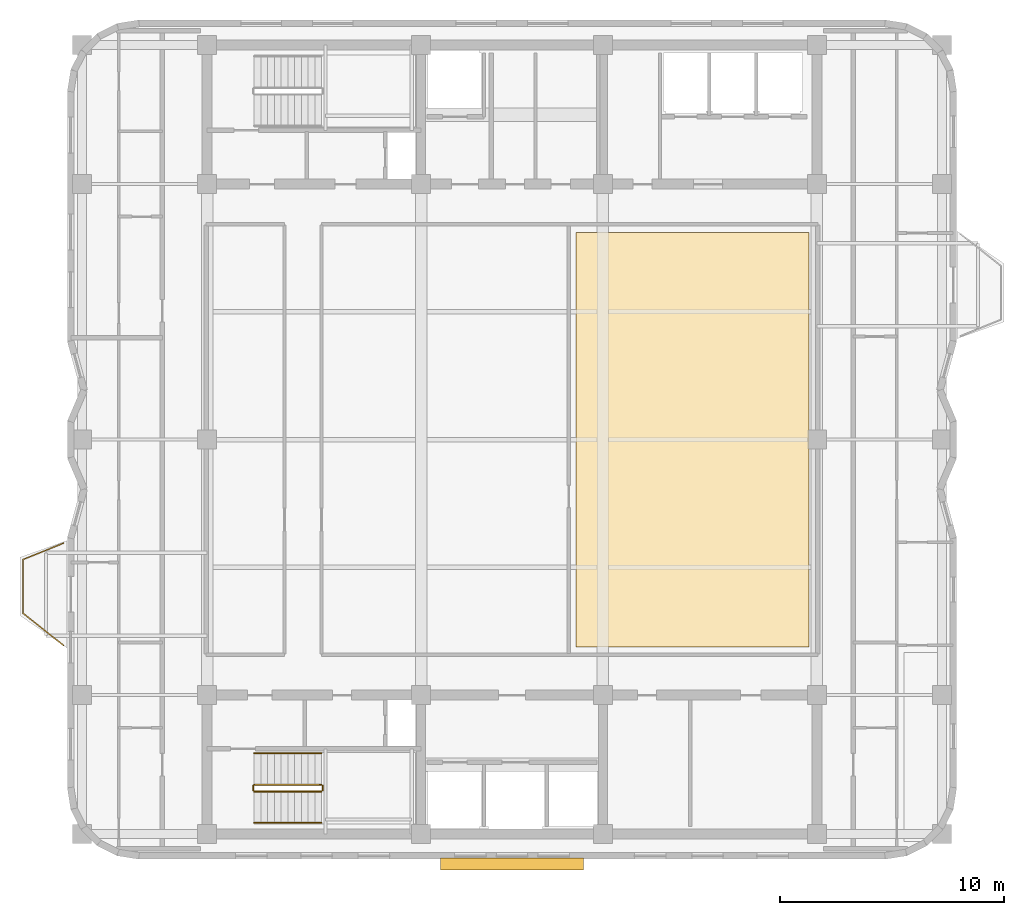
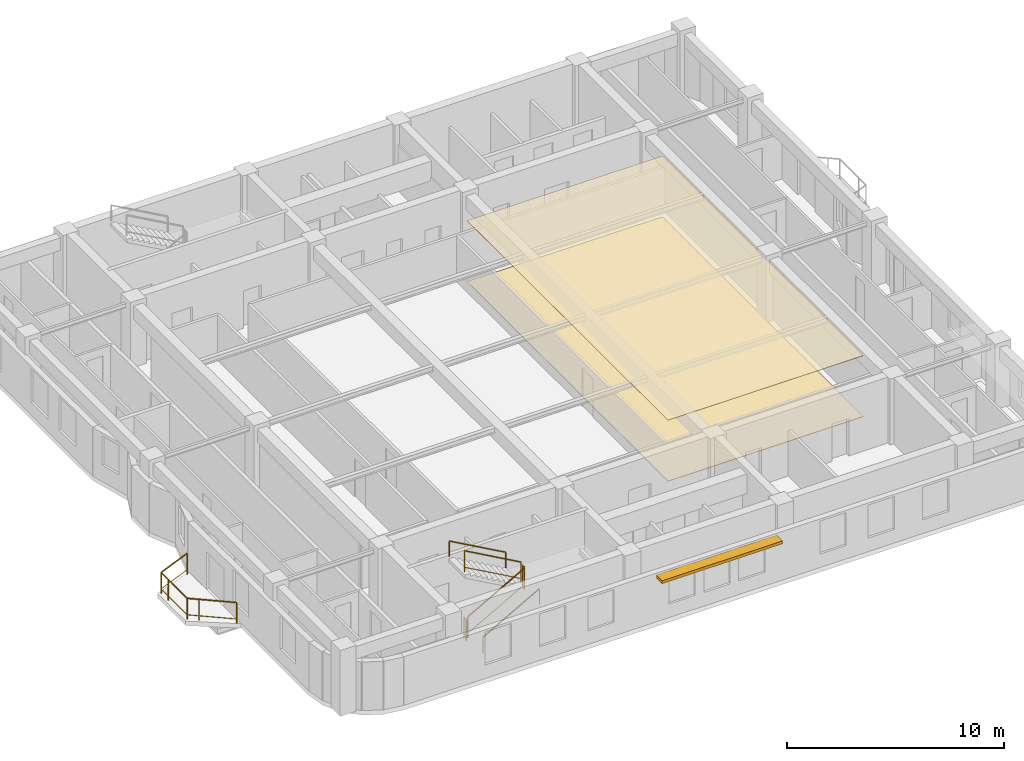
# One storey, part 7 of 8: 7 railings, 2 coverings, 1 shading device.
"""IFC4 building model written with IfcOpenShell, lengths in metres."""

from ifc_helpers import new_model, si_unit, direction, frame, origin, origin_2d, place, context, subcontext, project, spatial, polyline, rectangle, outline, extrude, material, layer, layer_set, type_object, element, save


model = new_model("IFC4")

# Units and contexts
model_context = context("Model", 3, precision=1e-05, world=origin(), true_north=direction((0.0, 1.0)))
body_context = subcontext(model_context, "Body", "Model", "MODEL_VIEW")
ifc_project = project(units=[si_unit("LENGTHUNIT", "METRE"), si_unit("AREAUNIT", "SQUARE_METRE"), si_unit("VOLUMEUNIT", "CUBIC_METRE"), si_unit("PLANEANGLEUNIT", "RADIAN"), si_unit("MASSUNIT", "GRAM", prefix="KILO")], contexts=[model_context])

# Site, building, storey
site_placement = place(None, origin())
site = spatial("IfcSite", under=ifc_project, at=site_placement, CompositionType="ELEMENT")
building_placement = place(site_placement, origin())
building = spatial("IfcBuilding", under=site, at=building_placement, Name="Svetorya Sky Lyceum", CompositionType="ELEMENT")
storey_placement = place(building_placement, frame((0.0, 0.0, 248.0)))
storey = spatial("IfcBuildingStorey", under=building, at=storey_placement, Name="L62", CompositionType="ELEMENT", Elevation=248.0)

# Coverings
ifc_material_1 = material(Name="Fire-retardant birch acoustic slat ceiling")
ifc_layer_1 = layer(ifc_material_1, 0.031982421875)
ifc_layer_set_1 = layer_set([ifc_layer_1], Name="Fire-retardant birch acoustic slat ceiling")
covering_type_1 = type_object("IfcCoveringType", Name="COV-CLG-WD32", PredefinedType="CEILING", material=ifc_layer_set_1)
covering_1_placement = place(storey_placement, frame((0.0, 0.0, 3.41796875)))
element("IfcCovering", 1, at=covering_1_placement, inside=storey, type_object=covering_type_1, Name="Recreation Hall L62 East Acoustic Ceiling", PredefinedType="CEILING", context=body_context, shape_type="SweptSolid", body=[
    extrude(outline(polyline([(42.06494140625, 18.949951171875), (52.449951171875, 18.949951171875), (52.449951171875, 37.449951171875), (42.06494140625, 37.449951171875), (42.06494140625, 18.949951171875)])), origin(), (0.0, 0.0, 1.0), 0.031982421875),
])
ifc_material_2 = material(Name="Vitrified porcelain slip-resistant tile flooring")
ifc_layer_2 = layer(ifc_material_2, 0.02587890625)
ifc_layer_set_2 = layer_set([ifc_layer_2], Name="Vitrified porcelain slip-resistant tile flooring")
covering_type_2 = type_object("IfcCoveringType", Name="COV-FLR-POR26", PredefinedType="FLOORING", material=ifc_layer_set_2)
covering_2_placement = place(storey_placement, origin())
element("IfcCovering", 2, at=covering_2_placement, inside=storey, type_object=covering_type_2, Name="Recreation Hall L62 East Architectural Flooring", PredefinedType="FLOORING", context=body_context, shape_type="SweptSolid", body=[
    extrude(outline(polyline([(42.06494140625, 18.949951171875), (52.449951171875, 18.949951171875), (52.449951171875, 37.449951171875), (42.06494140625, 37.449951171875), (42.06494140625, 18.949951171875)])), origin(), (0.0, 0.0, 1.0), 0.02587890625),
])

# Railings
ifc_material_3 = material(Name="Laminated safety glass and stainless AISI 316", Category="glass")
railing_type_1 = type_object("IfcRailingType", Name="RL-BAL-1200", PredefinedType="BALUSTRADE", material=ifc_material_3)
railing_1_placement = place(storey_placement, frame((19.18994140625, 19.02001953125, 0.0)))
element("IfcRailing", 3, at=railing_1_placement, inside=storey, type_object=railing_type_1, Name="L62 Balcony Balustrade BAL-W1", PredefinedType="BALUSTRADE", context=body_context, shape_type="SweptSolid", body=[
    extrude(rectangle(XDim=0.048095703125, YDim=0.048095703125, at=origin_2d()), frame((0.0, 0.0, 1.17578125), z_axis=(-0.783008919264, 0.622010476079, 0.0), x_axis=(-0.622010476079, -0.783008919264, 0.0)), (0.0, 0.0, 1.0), 2.298828125),
    extrude(rectangle(XDim=0.02392578125, YDim=0.02392578125, at=origin_2d()), frame((0.0, 0.0, 0.25), z_axis=(-0.783008919264, 0.622010476079, 0.0), x_axis=(-0.622010476079, -0.783008919264, 0.0)), (0.0, 0.0, 1.0), 2.298828125),
    extrude(rectangle(XDim=0.048095703125, YDim=0.048095703125, at=origin_2d()), frame((-1.800048828125, 1.429931640625, 1.17578125), z_axis=(0.0, 1.0, 0.0), x_axis=(-1.0, 0.0, 0.0)), (0.0, 0.0, 1.0), 2.400146484375),
    extrude(rectangle(XDim=0.02392578125, YDim=0.02392578125, at=origin_2d()), frame((-1.800048828125, 1.429931640625, 0.25), z_axis=(0.0, 1.0, 0.0), x_axis=(-1.0, 0.0, 0.0)), (0.0, 0.0, 1.0), 2.400146484375),
    extrude(rectangle(XDim=0.048095703125, YDim=0.048095703125, at=origin_2d()), frame((-1.800048828125, 3.830078125, 1.17578125), z_axis=(0.926697865975, 0.375807218129, 0.0), x_axis=(-0.375807218129, 0.926697865975, 0.0)), (0.0, 0.0, 1.0), 1.9423828125),
    extrude(rectangle(XDim=0.02392578125, YDim=0.02392578125, at=origin_2d()), frame((-1.800048828125, 3.830078125, 0.25), z_axis=(0.926697865975, 0.375807218129, 0.0), x_axis=(-0.375807218129, 0.926697865975, 0.0)), (0.0, 0.0, 1.0), 1.9423828125),
    extrude(rectangle(XDim=0.0419921875, YDim=0.0419921875, at=origin_2d()), origin(), (0.0, 0.0, 1.0), 1.15185546875),
    extrude(rectangle(XDim=0.0419921875, YDim=0.0419921875, at=origin_2d()), frame((-1.370361328125, 1.088623046875, 0.0)), (0.0, 0.0, 1.0), 1.15185546875),
    extrude(rectangle(XDim=0.0419921875, YDim=0.0419921875, at=origin_2d()), frame((-1.800048828125, 1.429931640625, 0.0)), (0.0, 0.0, 1.0), 1.15185546875),
    extrude(rectangle(XDim=0.0419921875, YDim=0.0419921875, at=origin_2d()), frame((-1.800048828125, 3.179931640625, 0.0)), (0.0, 0.0, 1.0), 1.15185546875),
    extrude(rectangle(XDim=0.0419921875, YDim=0.0419921875, at=origin_2d()), frame((-1.800048828125, 3.830078125, 0.0)), (0.0, 0.0, 1.0), 1.15185546875),
    extrude(rectangle(XDim=0.0419921875, YDim=0.0419921875, at=origin_2d()), frame((0.0, 4.56005859375, 0.0)), (0.0, 0.0, 1.0), 1.15185546875),
])
ifc_material_4 = material(Name="Painted galvanized stair well guard")
railing_type_2 = type_object("IfcRailingType", Name="RL-STR-GUARD-1200", PredefinedType="GUARDRAIL", material=ifc_material_4)
railing_2_placement = place(storey_placement, frame((27.699951171875, 12.5, 0.168212890625)))
element("IfcRailing", 4, at=railing_2_placement, inside=storey, type_object=railing_type_2, Name="L62 ST-S stair guard 1", PredefinedType="GUARDRAIL", context=body_context, shape_type="SweptSolid", body=[
    extrude(rectangle(XDim=0.048095703125, YDim=0.048095703125, at=origin_2d()), frame((0.0, 0.0, 1.17578125), z_axis=(0.872272294576, 0.0, 0.489020494575), x_axis=(0.0, 1.0, 0.0)), (0.0, 0.0, 1.0), 3.439208984375),
    extrude(rectangle(XDim=0.02392578125, YDim=0.02392578125, at=origin_2d()), frame((0.0, 0.0, 0.25), z_axis=(0.872272294576, 0.0, 0.489020494575), x_axis=(0.0, 1.0, 0.0)), (0.0, 0.0, 1.0), 3.439208984375),
    extrude(rectangle(XDim=0.0419921875, YDim=0.0419921875, at=origin_2d()), origin(), (0.0, 0.0, 1.0), 1.15185546875),
    extrude(rectangle(XDim=0.0419921875, YDim=0.0419921875, at=origin_2d()), frame((3.0, 0.0, 1.681884765625)), (0.0, 0.0, 1.0), 1.15185546875),
])
railing_3_placement = place(storey_placement, frame((30.75, 12.550048828125, 1.85009765625)))
element("IfcRailing", 5, at=railing_3_placement, inside=storey, type_object=railing_type_2, Name="L62 ST-S stair guard 2", PredefinedType="GUARDRAIL", context=body_context, shape_type="SweptSolid", body=[
    extrude(rectangle(XDim=0.048095703125, YDim=0.048095703125, at=origin_2d()), frame((0.0, 0.0, 1.17578125), z_axis=(0.0, 1.0, 0.0), x_axis=(-1.0, 0.0, 0.0)), (0.0, 0.0, 1.0), 0.199951171875),
    extrude(rectangle(XDim=0.02392578125, YDim=0.02392578125, at=origin_2d()), frame((0.0, 0.0, 0.25), z_axis=(0.0, 1.0, 0.0), x_axis=(-1.0, 0.0, 0.0)), (0.0, 0.0, 1.0), 0.199951171875),
    extrude(rectangle(XDim=0.0419921875, YDim=0.0419921875, at=origin_2d()), origin(), (0.0, 0.0, 1.0), 1.15185546875),
    extrude(rectangle(XDim=0.0419921875, YDim=0.0419921875, at=origin_2d()), frame((0.0, 0.199951171875, 0.0)), (0.0, 0.0, 1.0), 1.15185546875),
])
railing_4_placement = place(storey_placement, frame((30.699951171875, 12.800048828125, 2.01806640625)))
element("IfcRailing", 6, at=railing_4_placement, inside=storey, type_object=railing_type_2, Name="L62 ST-S stair guard 3", PredefinedType="GUARDRAIL", context=body_context, shape_type="SweptSolid", body=[
    extrude(rectangle(XDim=0.048095703125, YDim=0.048095703125, at=origin_2d()), frame((0.0, 0.0, 1.17578125), z_axis=(-0.872272294576, 0.0, 0.489020494575), x_axis=(0.0, -1.0, 0.0)), (0.0, 0.0, 1.0), 3.439208984375),
    extrude(rectangle(XDim=0.02392578125, YDim=0.02392578125, at=origin_2d()), frame((0.0, 0.0, 0.25), z_axis=(-0.872272294576, 0.0, 0.489020494575), x_axis=(0.0, -1.0, 0.0)), (0.0, 0.0, 1.0), 3.439208984375),
    extrude(rectangle(XDim=0.0419921875, YDim=0.0419921875, at=origin_2d()), origin(), (0.0, 0.0, 1.0), 1.15185546875),
    extrude(rectangle(XDim=0.0419921875, YDim=0.0419921875, at=origin_2d()), frame((-3.0, 0.0, 1.681884765625)), (0.0, 0.0, 1.0), 1.15185546875),
])
railing_5_placement = place(storey_placement, frame((27.64990234375, 12.550048828125, 0.0)))
element("IfcRailing", 7, at=railing_5_placement, inside=storey, type_object=railing_type_2, Name="L62 ST-S stair guard 4", PredefinedType="GUARDRAIL", context=body_context, shape_type="SweptSolid", body=[
    extrude(rectangle(XDim=0.048095703125, YDim=0.048095703125, at=origin_2d()), frame((0.0, 0.0, 1.17578125), z_axis=(0.0, 1.0, 0.0), x_axis=(-1.0, 0.0, 0.0)), (0.0, 0.0, 1.0), 0.199951171875),
    extrude(rectangle(XDim=0.02392578125, YDim=0.02392578125, at=origin_2d()), frame((0.0, 0.0, 0.25), z_axis=(0.0, 1.0, 0.0), x_axis=(-1.0, 0.0, 0.0)), (0.0, 0.0, 1.0), 0.199951171875),
    extrude(rectangle(XDim=0.0419921875, YDim=0.0419921875, at=origin_2d()), origin(), (0.0, 0.0, 1.0), 1.15185546875),
    extrude(rectangle(XDim=0.0419921875, YDim=0.0419921875, at=origin_2d()), frame((0.0, 0.199951171875, 0.0)), (0.0, 0.0, 1.0), 1.15185546875),
])
ifc_material_5 = material(Name="Brushed stainless AISI 304 stair handrail")
railing_type_3 = type_object("IfcRailingType", Name="RL-STR-HAND-920", PredefinedType="HANDRAIL", material=ifc_material_5)
railing_6_placement = place(storey_placement, frame((27.699951171875, 11.10009765625, 0.168212890625)))
element("IfcRailing", 8, at=railing_6_placement, inside=storey, type_object=railing_type_3, Name="L62 ST-S stair handrail 1", PredefinedType="HANDRAIL", context=body_context, shape_type="SweptSolid", body=[
    extrude(rectangle(XDim=0.048095703125, YDim=0.048095703125, at=origin_2d()), frame((0.0, 0.0, 0.8759765625), z_axis=(0.872272294576, 0.0, 0.489020494575), x_axis=(0.0, 1.0, 0.0)), (0.0, 0.0, 1.0), 3.439208984375),
    extrude(rectangle(XDim=0.0419921875, YDim=0.0419921875, at=origin_2d()), origin(), (0.0, 0.0, 1.0), 0.851806640625),
    extrude(rectangle(XDim=0.0419921875, YDim=0.0419921875, at=origin_2d()), frame((3.0, 0.0, 1.681884765625)), (0.0, 0.0, 1.0), 0.851806640625),
])
railing_7_placement = place(storey_placement, frame((30.699951171875, 14.199951171875, 2.01806640625)))
element("IfcRailing", 9, at=railing_7_placement, inside=storey, type_object=railing_type_3, Name="L62 ST-S stair handrail 2", PredefinedType="HANDRAIL", context=body_context, shape_type="SweptSolid", body=[
    extrude(rectangle(XDim=0.048095703125, YDim=0.048095703125, at=origin_2d()), frame((0.0, 0.0, 0.8759765625), z_axis=(-0.872272294576, 0.0, 0.489020494575), x_axis=(0.0, -1.0, 0.0)), (0.0, 0.0, 1.0), 3.439208984375),
    extrude(rectangle(XDim=0.0419921875, YDim=0.0419921875, at=origin_2d()), origin(), (0.0, 0.0, 1.0), 0.851806640625),
    extrude(rectangle(XDim=0.0419921875, YDim=0.0419921875, at=origin_2d()), frame((-3.0, 0.0, 1.681884765625)), (0.0, 0.0, 1.0), 0.851806640625),
])

# Shading device
ifc_material_6 = material(Name="Champagne-anodized extruded aluminium sunshade", Category="aluminium")
ifc_layer_3 = layer(ifc_material_6, 0.159912109375)
ifc_layer_set_3 = layer_set([ifc_layer_3], Name="Champagne-anodized extruded aluminium sunshade")
shading_device_type = type_object("IfcShadingDeviceType", Name="SHD-LVR-540", PredefinedType="AWNING", material=ifc_layer_set_3)
shading_device_placement = place(storey_placement, frame((39.199951171875, 9.260009765625, 2.43017578125), z_axis=(0.0, 0.0, 1.0), x_axis=(1.0, 0.0, 0.0)))
element("IfcShadingDevice", 10, at=shading_device_placement, inside=storey, type_object=shading_device_type, Name="L62 Solar Brise-Soleil SHD-1.6M", PredefinedType="AWNING", context=body_context, shape_type="SweptSolid", body=[
    extrude(rectangle(XDim=6.39990234375, YDim=0.5400390625, at=origin_2d()), origin(), (0.0, 0.0, 1.0), 0.159912109375),
])

save(model, "model.ifc")
